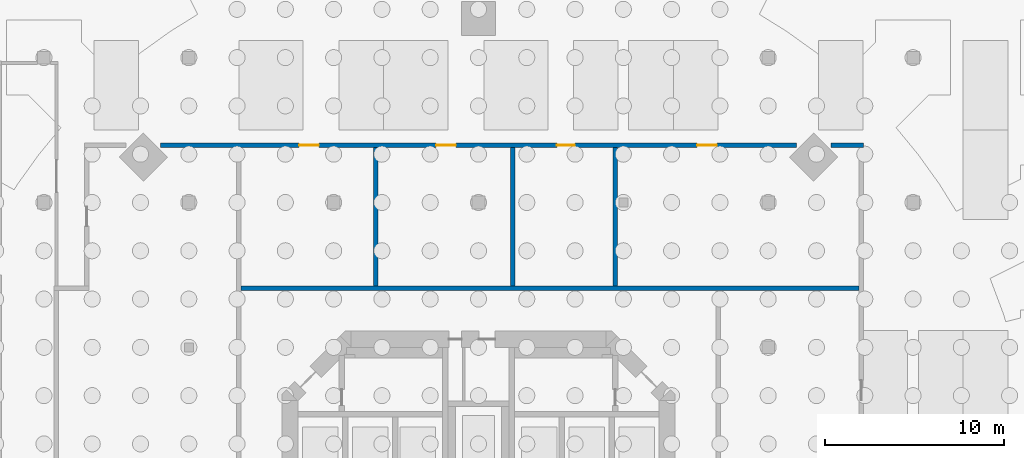
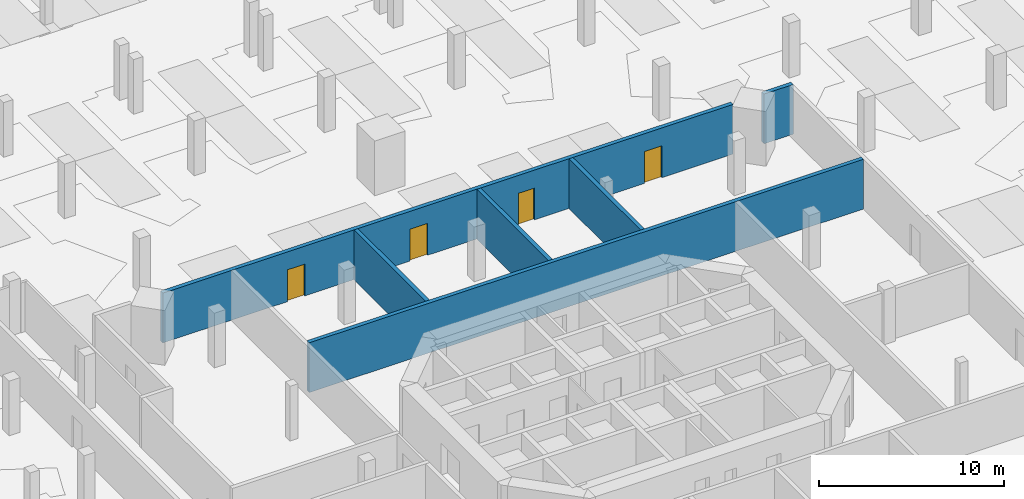
# One storey, part 18 of 23: 6 walls, 4 doors, 4 openings.
"""IFC4 building model written with IfcOpenShell, lengths in metres."""

from ifc_helpers import new_model, si_unit, direction, frame, frame_2d, origin, place, context, subcontext, project, spatial, rectangle, extrude, material, layer, layer_set, type_object, element, fill, save


model = new_model("IFC4")

# Units and contexts
model_context = context("Model", 3, precision=1e-05, world=origin(), true_north=direction((0.0, 1.0)))
body_context = subcontext(model_context, "Body", "Model", "MODEL_VIEW")
ifc_project = project(units=[si_unit("LENGTHUNIT", "METRE"), si_unit("AREAUNIT", "SQUARE_METRE"), si_unit("VOLUMEUNIT", "CUBIC_METRE"), si_unit("PLANEANGLEUNIT", "RADIAN"), si_unit("MASSUNIT", "GRAM", prefix="KILO")], contexts=[model_context])

# Site, building, storey
site_placement = place(None, origin())
site = spatial("IfcSite", under=ifc_project, at=site_placement, CompositionType="ELEMENT")
building_placement = place(site_placement, origin())
building = spatial("IfcBuilding", under=site, at=building_placement, Name="Torre Triforio", CompositionType="ELEMENT")
storey_placement = place(building_placement, frame((0.0, 0.0, -10.800048828125)))
storey = spatial("IfcBuildingStorey", under=building, at=storey_placement, Name="B3", CompositionType="ELEMENT", Elevation=-10.800048828125)

# Walls
ifc_material_1 = material(Name="Masonry block", Category="masonry")
ifc_layer = layer(ifc_material_1, 0.25)
ifc_layer_set = layer_set([ifc_layer], Name="Masonry block")
wall_type = type_object("IfcWallType", Name="Plant room wall 250 EI 120", PredefinedType="PARTITIONING", material=ifc_layer_set)
wall_1_placement = place(storey_placement, frame((-5.742919921875, 11.52490234375, 0.0), z_axis=(0.0, 0.0, 1.0), x_axis=(0.0, 1.0, 0.0)))
element("IfcWall", 1, at=wall_1_placement, inside=storey, type_object=wall_type, Name="Plant room wall B3 020", PredefinedType="PARTITIONING", context=body_context, shape_type="SweptSolid", body=[
    extrude(rectangle(XDim=7.75, YDim=0.25, at=frame_2d((3.875, 0.0))), origin(), (0.0, 0.0, 1.0), 3.280029296875),
])
wall_2_placement = place(storey_placement, frame((-13.27490234375, 11.39990234375, 0.0), z_axis=(0.0, 0.0, 1.0), x_axis=(1.0, 0.0, 0.0)))
element("IfcWall", 2, at=wall_2_placement, inside=storey, type_object=wall_type, Name="Plant room wall B3 021", PredefinedType="PARTITIONING", context=body_context, shape_type="SweptSolid", body=[
    extrude(rectangle(XDim=34.5498046875, YDim=0.25, at=frame_2d((17.27490234375, 0.0))), origin(), (0.0, 0.0, 1.0), 3.280029296875),
])
for number, where, z_axis, x_axis, name in (
    (3, (1.914306640625, 11.52490234375, 0.0), (0.0, 0.0, 1.0), (0.0, 1.0, 0.0), "Plant room wall B3 022"),
    (4, (7.656982421875, 11.52490234375, 0.0), (0.0, 0.0, 1.0), (0.0, 1.0, 0.0), "Plant room wall B3 023"),
):
    element("IfcWall", number, at=place(storey_placement, frame(where, z_axis=z_axis, x_axis=x_axis)), inside=storey, type_object=wall_type, Name=name, PredefinedType="PARTITIONING", context=body_context, shape_type="SweptSolid", body=[
        extrude(rectangle(XDim=7.75, YDim=0.25, at=frame_2d((3.875, 0.0))), origin(), (0.0, 0.0, 1.0), 3.280029296875),
    ])
wall_3_placement = place(storey_placement, frame((19.6982421875, 19.39990234375, 0.0), z_axis=(0.0, 0.0, 1.0), x_axis=(1.0, 0.0, 0.0)))
element("IfcWall", 5, at=wall_3_placement, inside=storey, type_object=wall_type, Name="Plant room wall B3 024", PredefinedType="PARTITIONING", context=body_context, shape_type="SweptSolid", body=[
    extrude(rectangle(XDim=1.82666015625, YDim=0.25, at=frame_2d((0.913330078125, 0.0))), origin(), (0.0, 0.0, 1.0), 3.280029296875),
])

# Wall, openings, doors
wall_4_placement = place(storey_placement, frame((-17.7783203125, 19.39990234375, 0.0), z_axis=(0.0, 0.0, 1.0), x_axis=(1.0, 0.0, 0.0)))
wall_4 = element("IfcWall", 6, at=wall_4_placement, inside=storey, type_object=wall_type, Name="Plant room wall B3 042", PredefinedType="PARTITIONING", context=body_context, shape_type="SweptSolid", body=[
    extrude(rectangle(XDim=35.556640625, YDim=0.25, at=frame_2d((17.7783203125, 0.0))), origin(), (0.0, 0.0, 1.0), 3.280029296875),
])
opening_1_placement = place(wall_4_placement, frame((7.75341796875, 0.0, 0.0)))
opening_1 = element("IfcOpeningElement", 7, at=opening_1_placement, cuts=wall_4, Name="Opening BS3-05", PredefinedType="OPENING", context=body_context, shape_type="SweptSolid", body=[
    extrude(rectangle(XDim=1.10009765625, YDim=2.10009765625, at=frame_2d((0.550048828125, 1.050048828125))), frame((0.0, 0.135009765625, 0.0), z_axis=(0.0, -1.0, 0.0), x_axis=(1.0, 0.0, 0.0)), (0.0, 0.0, 1.0), 0.27001953125),
])
opening_2_placement = place(wall_4_placement, frame((15.410400390625, 0.0, 0.0)))
opening_2 = element("IfcOpeningElement", 8, at=opening_2_placement, cuts=wall_4, Name="Opening BS3-06", PredefinedType="OPENING", context=body_context, shape_type="SweptSolid", body=[
    extrude(rectangle(XDim=1.10009765625, YDim=2.10009765625, at=frame_2d((0.550048828125, 1.050048828125))), frame((0.0, 0.135009765625, 0.0), z_axis=(0.0, -1.0, 0.0), x_axis=(1.0, 0.0, 0.0)), (0.0, 0.0, 1.0), 0.27001953125),
])
opening_3_placement = place(wall_4_placement, frame((22.16748046875, 0.0, 0.0)))
opening_3 = element("IfcOpeningElement", 9, at=opening_3_placement, cuts=wall_4, Name="Opening BS3-07", PredefinedType="OPENING", context=body_context, shape_type="SweptSolid", body=[
    extrude(rectangle(XDim=1.0, YDim=2.10009765625, at=frame_2d((0.5, 1.050048828125))), frame((0.0, 0.135009765625, 0.0), z_axis=(0.0, -1.0, 0.0), x_axis=(1.0, 0.0, 0.0)), (0.0, 0.0, 1.0), 0.27001953125),
])
opening_4_placement = place(wall_4_placement, frame((30.010498046875, 0.0, 0.0)))
opening_4 = element("IfcOpeningElement", 10, at=opening_4_placement, cuts=wall_4, Name="Opening BS3-08", PredefinedType="OPENING", context=body_context, shape_type="SweptSolid", body=[
    extrude(rectangle(XDim=1.10009765625, YDim=2.10009765625, at=frame_2d((0.550048828125, 1.050048828125))), frame((0.0, 0.135009765625, 0.0), z_axis=(0.0, -1.0, 0.0), x_axis=(1.0, 0.0, 0.0)), (0.0, 0.0, 1.0), 0.27001953125),
])
ifc_material_2 = material(Name="Hollow metal fire door leaf")
door_type_1 = type_object("IfcDoorType", Name="Fire door 1000 x 2100 EI 60", OperationType="NOTDEFINED", PredefinedType="DOOR", material=ifc_material_2)
door_1_placement = place(opening_3_placement, origin())
door_1 = element("IfcDoor", 11, at=door_1_placement, inside=storey, type_object=door_type_1, Name="Door BS3-07", OperationType="SINGLE_SWING_LEFT", OverallHeight=2.10009765625, OverallWidth=1.0, PredefinedType="DOOR", context=body_context, shape_type="SweptSolid", body=[
    extrude(rectangle(XDim=1.0, YDim=2.10009765625, at=frame_2d((0.5, 1.050048828125))), frame((0.0, 0.02490234375, 0.0), z_axis=(0.0, -1.0, 0.0), x_axis=(1.0, 0.0, 0.0)), (0.0, 0.0, 1.0), 0.050048828125),
])
fill(opening_3, door_1)
door_type_2 = type_object("IfcDoorType", Name="Plant room door 1100 x 2100 EI 60", OperationType="NOTDEFINED", PredefinedType="DOOR", material=ifc_material_2)
door_2_placement = place(opening_1_placement, origin())
door_2 = element("IfcDoor", 12, at=door_2_placement, inside=storey, type_object=door_type_2, Name="Door BS3-05", OperationType="SINGLE_SWING_LEFT", OverallHeight=2.10009765625, OverallWidth=1.10009765625, PredefinedType="DOOR", context=body_context, shape_type="SweptSolid", body=[
    extrude(rectangle(XDim=1.10009765625, YDim=2.10009765625, at=frame_2d((0.550048828125, 1.050048828125))), frame((0.0, 0.02490234375, 0.0), z_axis=(0.0, -1.0, 0.0), x_axis=(1.0, 0.0, 0.0)), (0.0, 0.0, 1.0), 0.050048828125),
])
fill(opening_1, door_2)
door_3_placement = place(opening_2_placement, origin())
door_3 = element("IfcDoor", 13, at=door_3_placement, inside=storey, type_object=door_type_2, Name="Door BS3-06", OperationType="SINGLE_SWING_LEFT", OverallHeight=2.10009765625, OverallWidth=1.10009765625, PredefinedType="DOOR", context=body_context, shape_type="SweptSolid", body=[
    extrude(rectangle(XDim=1.10009765625, YDim=2.10009765625, at=frame_2d((0.550048828125, 1.050048828125))), frame((0.0, 0.02490234375, 0.0), z_axis=(0.0, -1.0, 0.0), x_axis=(1.0, 0.0, 0.0)), (0.0, 0.0, 1.0), 0.050048828125),
])
fill(opening_2, door_3)
door_4_placement = place(opening_4_placement, origin())
door_4 = element("IfcDoor", 14, at=door_4_placement, inside=storey, type_object=door_type_2, Name="Door BS3-08", OperationType="SINGLE_SWING_LEFT", OverallHeight=2.10009765625, OverallWidth=1.10009765625, PredefinedType="DOOR", context=body_context, shape_type="SweptSolid", body=[
    extrude(rectangle(XDim=1.10009765625, YDim=2.10009765625, at=frame_2d((0.550048828125, 1.050048828125))), frame((0.0, 0.02490234375, 0.0), z_axis=(0.0, -1.0, 0.0), x_axis=(1.0, 0.0, 0.0)), (0.0, 0.0, 1.0), 0.050048828125),
])
fill(opening_4, door_4)

save(model, "model.ifc")
